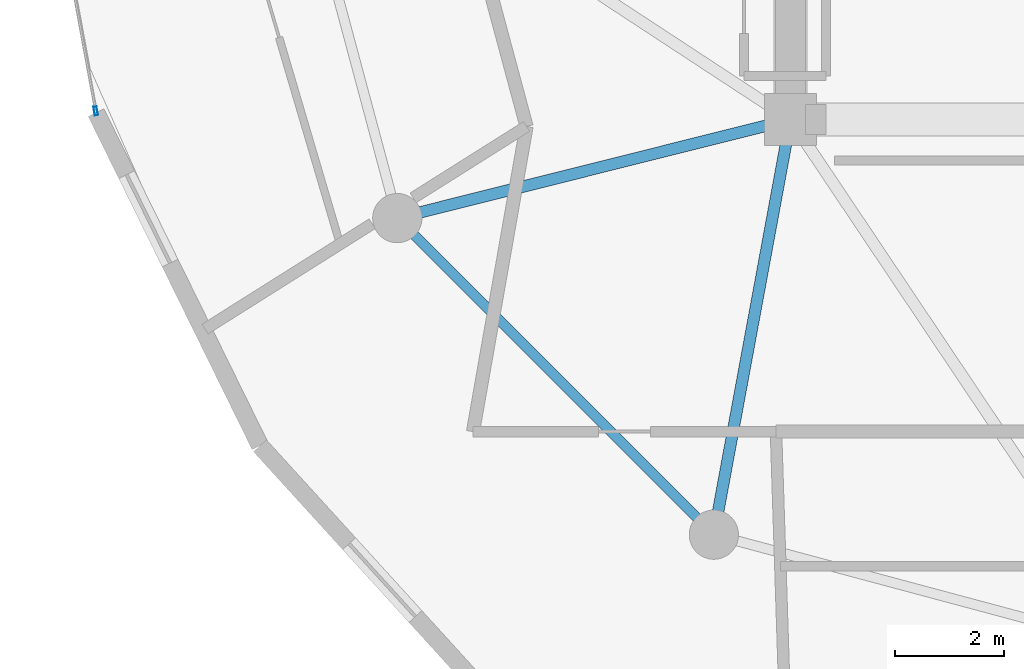
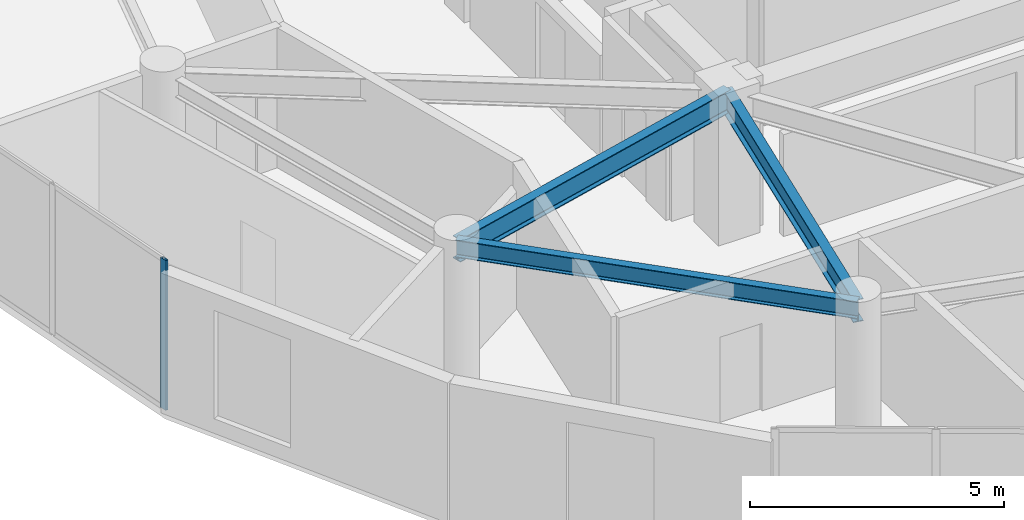
# One storey, part 3 of 21: 3 beams, 1 member, 1 element without a shape of its own.
"""IFC4 building model written with IfcOpenShell, lengths in metres."""

from ifc_helpers import new_model, si_unit, direction, frame, origin, origin_2d, place, context, subcontext, project, spatial, hollow_rectangle, i_section, extrude, source, transform, mapped, material, layer, layer_set, material_profile, profile_set, type_object, element, aggregate, save


model = new_model("IFC4")

# Units and contexts
model_context = context("Model", 3, precision=1e-05, world=origin(), true_north=direction((0.0, 1.0)))
body_context = subcontext(model_context, "Body", "Model", "MODEL_VIEW")
ifc_project = project(units=[si_unit("LENGTHUNIT", "METRE"), si_unit("AREAUNIT", "SQUARE_METRE"), si_unit("VOLUMEUNIT", "CUBIC_METRE"), si_unit("PLANEANGLEUNIT", "RADIAN"), si_unit("MASSUNIT", "GRAM", prefix="KILO")], contexts=[model_context])

# Site, building, storey
site_placement = place(None, origin())
site = spatial("IfcSite", under=ifc_project, at=site_placement, CompositionType="ELEMENT")
building_placement = place(site_placement, origin())
building = spatial("IfcBuilding", under=site, at=building_placement, Name="Solvirekh Grand Hotel", CompositionType="ELEMENT")
storey_placement = place(building_placement, frame((0.0, 0.0, 223.60009765625)))
storey = spatial("IfcBuildingStorey", under=building, at=storey_placement, Name="L58", CompositionType="ELEMENT", Elevation=223.60009765625)

# Beams
ifc_material_1 = material(Name="Steel S355", Category="steel")
ifc_material_profile_1 = material_profile(ifc_material_1, i_section(OverallWidth=0.2119140625, OverallDepth=0.5439453125, WebThickness=0.011962890625, FlangeThickness=0.01904296875, FilletRadius=0.013916015625, at=origin_2d()), Name="W530X123")
ifc_profile_set_1 = profile_set([ifc_material_profile_1], Name="Steel S355")
beam_type_1 = type_object("IfcBeamType", Name="Beam_Radial_W530H", PredefinedType="BEAM", material=ifc_profile_set_1)
beam_1_placement = place(storey_placement, frame((-6.5, -6.10009765625, 3.087890625), z_axis=(-0.970014367692, -0.243047580675, 0.0), x_axis=(0.243047580675, -0.970014367692, 0.0)))
element("IfcBeam", 1, at=beam_1_placement, inside=storey, type_object=beam_type_1, Name="L58 radial floor beam R08", PredefinedType="BEAM", context=body_context, shape_type="SweptSolid", body=[
    extrude(i_section(OverallWidth=0.2119140625, OverallDepth=0.5439453125, WebThickness=0.011962890625, FlangeThickness=0.01904296875, FilletRadius=0.013916015625, at=origin_2d()), origin(), (0.0, 0.0, 1.0), 7.4052734375),
])
beam_2_placement = place(storey_placement, frame((-6.5, -6.10009765625, 3.087890625), z_axis=(-0.181542769111, -0.983383049978, 0.0), x_axis=(0.983383049978, -0.181542769111, 0.0)))
element("IfcBeam", 2, at=beam_2_placement, inside=storey, type_object=beam_type_1, Name="L58 radial floor beam R09", PredefinedType="BEAM", context=body_context, shape_type="SweptSolid", body=[
    extrude(i_section(OverallWidth=0.2119140625, OverallDepth=0.5439453125, WebThickness=0.011962890625, FlangeThickness=0.01904296875, FilletRadius=0.013916015625, at=origin_2d()), origin(), (0.0, 0.0, 1.0), 7.711181640625),
])
ifc_material_profile_2 = material_profile(ifc_material_1, i_section(OverallWidth=0.180908203125, OverallDepth=0.4169921875, WebThickness=0.010009765625, FlangeThickness=0.01611328125, FilletRadius=0.011962890625, at=origin_2d()), Name="W410X85")
ifc_profile_set_2 = profile_set([ifc_material_profile_2], Name="Steel S355")
beam_type_2 = type_object("IfcBeamType", Name="Spandrel_Ring_W410", PredefinedType="SPANDREL", material=ifc_profile_set_2)
beam_3_placement = place(storey_placement, frame((-13.68310546875, -7.89990234375, 3.15185546875), z_axis=(0.707106781187, -0.707106781187, 0.0), x_axis=(0.707106781187, 0.707106781187, 0.0)))
element("IfcBeam", 3, at=beam_3_placement, inside=storey, type_object=beam_type_2, Name="L58 perimeter spandrel beam 8", PredefinedType="SPANDREL", context=body_context, shape_type="SweptSolid", body=[
    extrude(i_section(OverallWidth=0.180908203125, OverallDepth=0.4169921875, WebThickness=0.010009765625, FlangeThickness=0.01611328125, FilletRadius=0.011962890625, at=origin_2d()), origin(), (0.0, 0.0, 1.0), 8.1787109375),
])

# Curtain wall, member
ifc_material_2 = material(Name="Anodized Bronze Aluminium 6063-T6", Category="aluminium")
ifc_layer = layer(ifc_material_2, 0.159912109375)
ifc_layer_set = layer_set([ifc_layer], Name="Anodized Bronze Aluminium 6063-T6")
curtain_wall_type = type_object("IfcCurtainWallType", Name="CW_Sys4_HighZoneFlushBronzeCW", PredefinedType="NOTDEFINED", material=ifc_layer_set)
curtain_wall_placement = place(storey_placement, origin())
curtain_wall = element("IfcCurtainWall", 4, at=curtain_wall_placement, inside=storey, type_object=curtain_wall_type, Name="L58 unitised bronze-glass curtain wall CW-L58-C15", PredefinedType="NOTDEFINED")
ifc_material_profile_3 = material_profile(ifc_material_2, hollow_rectangle(XDim=0.06005859375, YDim=0.159912109375, WallThickness=0.0048828125, at=origin_2d()), Name="ALU RHS 160X60X5")
ifc_profile_set_3 = profile_set([ifc_material_profile_3], Name="Anodized Bronze Aluminium 6063-T6")
member_type = type_object("IfcMemberType", Name="CWMullion_Sys4", PredefinedType="MULLION", material=ifc_profile_set_3)
shared_shape = source(origin(), body_context, "Body", "SweptSolid", [
    extrude(hollow_rectangle(XDim=0.06005859375, YDim=0.159912109375, WallThickness=0.0048828125, at=origin_2d()), origin(), (0.0, 0.0, 1.0), 3.599853515625),
])
member_placement = place(storey_placement, frame((-19.1923828125, -5.9423828125, 0.0), z_axis=(0.0, 0.0, 1.0), x_axis=(0.983433144315, 0.181271207486, 0.0)))
member = element("IfcMember", 5, at=member_placement, type_object=member_type, Name="U04 mullion 3", PredefinedType="MULLION", context=body_context, shape_type="MappedRepresentation", body=[
    mapped(shared_shape, transform((0.0, 0.0, 0.0), x_axis=(1.0, 0.0, 0.0), y_axis=(0.0, 1.0, 0.0), z_axis=(0.0, 0.0, 1.0), scale=1.0)),
])
aggregate(curtain_wall, [member])

save(model, "model.ifc")
